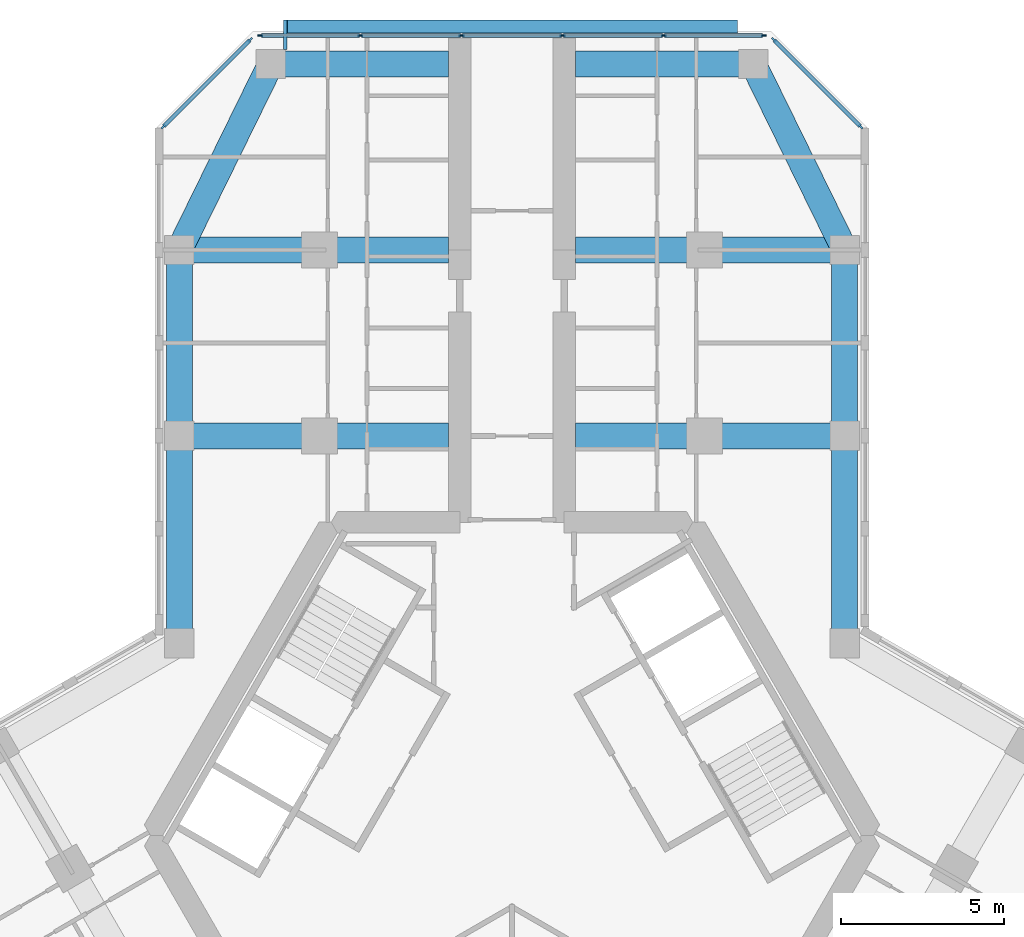
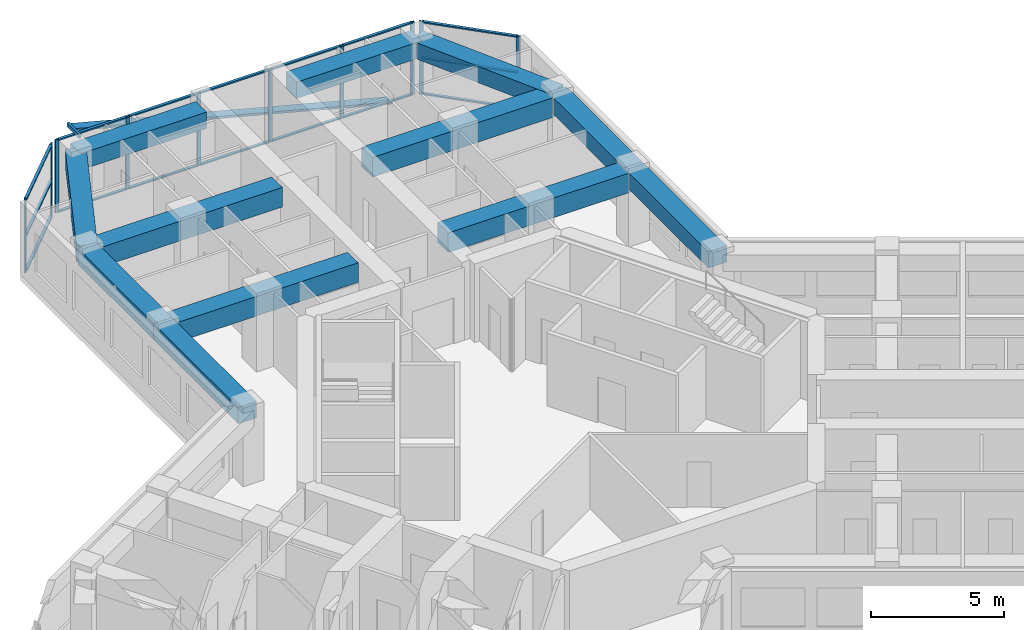
# One storey, part 6 of 16: 28 members, 12 beams, 3 elements without a shape of their own.
"""IFC4 building model written with IfcOpenShell, lengths in metres."""

from ifc_helpers import new_model, si_unit, direction, frame, origin, origin_2d, place, context, subcontext, project, spatial, rectangle, hollow_rectangle, extrude, material, material_profile, profile_set, type_object, element, aggregate, save


model = new_model("IFC4")

# Units and contexts
model_context = context("Model", 3, precision=1e-05, world=origin(), true_north=direction((0.0, 1.0)))
body_context = subcontext(model_context, "Body", "Model", "MODEL_VIEW")
ifc_project = project(units=[si_unit("LENGTHUNIT", "METRE"), si_unit("AREAUNIT", "SQUARE_METRE"), si_unit("VOLUMEUNIT", "CUBIC_METRE"), si_unit("PLANEANGLEUNIT", "RADIAN"), si_unit("MASSUNIT", "GRAM", prefix="KILO")], contexts=[model_context])

# Site, building, storey
site_placement = place(None, origin())
site = spatial("IfcSite", under=ifc_project, at=site_placement, CompositionType="ELEMENT")
building_placement = place(site_placement, origin())
building = spatial("IfcBuilding", under=site, at=building_placement, Name="Kosmar Iwan School Tower", CompositionType="ELEMENT")
storey_placement = place(building_placement, frame((0.0, 0.0, 201.0)))
storey = spatial("IfcBuildingStorey", under=building, at=storey_placement, Name="L50", CompositionType="ELEMENT", Elevation=201.0)

# Members
ifc_material_1 = material(Name="Black anodised aluminium", Category="aluminium")
ifc_material_profile_1 = material_profile(ifc_material_1, rectangle(XDim=0.10009765625, YDim=0.39990234375, at=origin_2d()), Name="FIN 100x400")
ifc_profile_set_1 = profile_set([ifc_material_profile_1], Name="Black anodised aluminium")
member_type_1 = type_object("IfcMemberType", Name="Diagonal fin 100x400", PredefinedType="USERDEFINED", material=ifc_profile_set_1)
member_1_placement = place(storey_placement, frame((6.898193359375, 24.800048828125, -0.14990234375), z_axis=(-0.967603633438, 0.0, 0.252474174041), x_axis=(0.252474174041, 0.0, 0.967603633438)))
element("IfcMember", 1, at=member_1_placement, inside=storey, type_object=member_type_1, Name="Diagonal fin L50-F06", ObjectType="FIN", PredefinedType="USERDEFINED", context=body_context, shape_type="SweptSolid", body=[
    extrude(rectangle(XDim=0.10009765625, YDim=0.39990234375, at=origin_2d()), origin(), (0.0, 0.0, 1.0), 14.25830078125),
])
ifc_material_2 = material(Name="Steel S355", Category="steel")
ifc_material_profile_2 = material_profile(ifc_material_2, hollow_rectangle(XDim=0.10009765625, YDim=0.199951171875, WallThickness=0.008056640625, at=origin_2d()), Name="RHS 200x100x8")
ifc_profile_set_2 = profile_set([ifc_material_profile_2], Name="Steel S355")
member_type_2 = type_object("IfcMemberType", Name="Fin bracket RHS 200x100", PredefinedType="USERDEFINED", material=ifc_profile_set_2)
member_2_placement = place(storey_placement, frame((-6.949951171875, 24.10009765625, 3.47509765625), z_axis=(0.0, 1.0, 0.0), x_axis=(-1.0, 0.0, 0.0)))
element("IfcMember", 2, at=member_2_placement, inside=storey, type_object=member_type_2, Name="Fin bracket L51", ObjectType="FIN BRACKET", PredefinedType="USERDEFINED", context=body_context, shape_type="SweptSolid", body=[
    extrude(hollow_rectangle(XDim=0.10009765625, YDim=0.199951171875, WallThickness=0.008056640625, at=origin_2d()), origin(), (0.0, 0.0, 1.0), 0.89990234375),
])

# Curtain wall, members
ifc_material_3 = material(Name="Dark glass in black aluminium frame", Category="aluminium")
curtain_wall_type_1 = type_object("IfcCurtainWallType", Name="Chamfer curtain wall dark glass", PredefinedType="USERDEFINED", material=ifc_material_3)
curtain_wall_1_placement = place(storey_placement, origin())
curtain_wall_1 = element("IfcCurtainWall", 3, at=curtain_wall_1_placement, inside=storey, type_object=curtain_wall_type_1, Name="Curtain wall L50-F05", ObjectType="FACETED CURTAIN WALL", PredefinedType="USERDEFINED")
ifc_material_4 = material(Name="Black anodised aluminium", Category="aluminium")
ifc_material_profile_3 = material_profile(ifc_material_4, rectangle(XDim=0.06005859375, YDim=0.159912109375, at=origin_2d()), Name="MULLION 60x160")
ifc_profile_set_3 = profile_set([ifc_material_profile_3], Name="Black anodised aluminium")
member_type_3 = type_object("IfcMemberType", Name="Mullion 60x160", PredefinedType="MULLION", material=ifc_profile_set_3)
member_3_placement = place(storey_placement, frame((10.69775390625, 21.7255859375, 0.0), z_axis=(0.0, 0.0, 1.0), x_axis=(-0.707106781187, -0.707106781187, 0.0)))
member_3 = element("IfcMember", 4, at=member_3_placement, type_object=member_type_3, Name="CW2 mullion 1", PredefinedType="MULLION", context=body_context, shape_type="SweptSolid", body=[
    extrude(rectangle(XDim=0.06005859375, YDim=0.159912109375, at=origin_2d()), origin(), (0.0, 0.0, 1.0), 3.35009765625),
])
member_4_placement = place(storey_placement, frame((8.025390625, 24.397705078125, 0.0), z_axis=(0.0, 0.0, 1.0), x_axis=(-0.707106781187, -0.707106781187, 0.0)))
member_4 = element("IfcMember", 5, at=member_4_placement, type_object=member_type_3, Name="CW2 mullion 2", PredefinedType="MULLION", context=body_context, shape_type="SweptSolid", body=[
    extrude(rectangle(XDim=0.06005859375, YDim=0.159912109375, at=origin_2d()), origin(), (0.0, 0.0, 1.0), 3.35009765625),
])

ifc_material_5 = material(Name="Dark glass in black aluminium frame", Category="aluminium")
curtain_wall_type_2 = type_object("IfcCurtainWallType", Name="Tower curtain wall dark glass", PredefinedType="USERDEFINED", material=ifc_material_5)
curtain_wall_2_placement = place(storey_placement, origin())
curtain_wall_2 = element("IfcCurtainWall", 6, at=curtain_wall_2_placement, inside=storey, type_object=curtain_wall_type_2, Name="Curtain wall L50-F06", ObjectType="UNITISED CURTAIN WALL", PredefinedType="USERDEFINED")
member_5_placement = place(storey_placement, frame((7.71826171875, 24.52490234375, 0.0), z_axis=(0.0, 0.0, 1.0), x_axis=(0.0, -1.0, 0.0)))
member_5 = element("IfcMember", 7, at=member_5_placement, type_object=member_type_3, Name="CW1 mullion 1", PredefinedType="MULLION", context=body_context, shape_type="SweptSolid", body=[
    extrude(rectangle(XDim=0.06005859375, YDim=0.159912109375, at=origin_2d()), origin(), (0.0, 0.0, 1.0), 3.35009765625),
])
member_6_placement = place(storey_placement, frame((4.64892578125, 24.52490234375, 0.0), z_axis=(0.0, 0.0, 1.0), x_axis=(0.0, -1.0, 0.0)))
member_6 = element("IfcMember", 8, at=member_6_placement, type_object=member_type_3, Name="CW1 mullion 2", PredefinedType="MULLION", context=body_context, shape_type="SweptSolid", body=[
    extrude(rectangle(XDim=0.06005859375, YDim=0.159912109375, at=origin_2d()), origin(), (0.0, 0.0, 1.0), 3.35009765625),
])
member_7_placement = place(storey_placement, frame((1.549560546875, 24.52490234375, 0.0), z_axis=(0.0, 0.0, 1.0), x_axis=(0.0, -1.0, 0.0)))
member_7 = element("IfcMember", 9, at=member_7_placement, type_object=member_type_3, Name="CW1 mullion 3", PredefinedType="MULLION", context=body_context, shape_type="SweptSolid", body=[
    extrude(rectangle(XDim=0.06005859375, YDim=0.159912109375, at=origin_2d()), origin(), (0.0, 0.0, 1.0), 3.35009765625),
])
member_8_placement = place(storey_placement, frame((-1.549560546875, 24.52490234375, 0.0), z_axis=(0.0, 0.0, 1.0), x_axis=(0.0, -1.0, 0.0)))
member_8 = element("IfcMember", 10, at=member_8_placement, type_object=member_type_3, Name="CW1 mullion 4", PredefinedType="MULLION", context=body_context, shape_type="SweptSolid", body=[
    extrude(rectangle(XDim=0.06005859375, YDim=0.159912109375, at=origin_2d()), origin(), (0.0, 0.0, 1.0), 3.35009765625),
])
member_9_placement = place(storey_placement, frame((-4.64892578125, 24.52490234375, 0.0), z_axis=(0.0, 0.0, 1.0), x_axis=(0.0, -1.0, 0.0)))
member_9 = element("IfcMember", 11, at=member_9_placement, type_object=member_type_3, Name="CW1 mullion 5", PredefinedType="MULLION", context=body_context, shape_type="SweptSolid", body=[
    extrude(rectangle(XDim=0.06005859375, YDim=0.159912109375, at=origin_2d()), origin(), (0.0, 0.0, 1.0), 3.35009765625),
])
member_10_placement = place(storey_placement, frame((-7.71826171875, 24.52490234375, 0.0), z_axis=(0.0, 0.0, 1.0), x_axis=(0.0, -1.0, 0.0)))
member_10 = element("IfcMember", 12, at=member_10_placement, type_object=member_type_3, Name="CW1 mullion 6", PredefinedType="MULLION", context=body_context, shape_type="SweptSolid", body=[
    extrude(rectangle(XDim=0.06005859375, YDim=0.159912109375, at=origin_2d()), origin(), (0.0, 0.0, 1.0), 3.35009765625),
])

curtain_wall_3_placement = place(storey_placement, origin())
curtain_wall_3 = element("IfcCurtainWall", 13, at=curtain_wall_3_placement, inside=storey, type_object=curtain_wall_type_1, Name="Curtain wall L50-F07", ObjectType="FACETED CURTAIN WALL", PredefinedType="USERDEFINED")
member_11_placement = place(storey_placement, frame((-8.025390625, 24.397705078125, 0.0), z_axis=(0.0, 0.0, 1.0), x_axis=(0.707106781187, -0.707106781187, 0.0)))
member_11 = element("IfcMember", 14, at=member_11_placement, type_object=member_type_3, Name="CW2 mullion 1", PredefinedType="MULLION", context=body_context, shape_type="SweptSolid", body=[
    extrude(rectangle(XDim=0.06005859375, YDim=0.159912109375, at=origin_2d()), origin(), (0.0, 0.0, 1.0), 3.35009765625),
])
member_12_placement = place(storey_placement, frame((-10.69775390625, 21.7255859375, 0.0), z_axis=(0.0, 0.0, 1.0), x_axis=(0.707106781187, -0.707106781187, 0.0)))
member_12 = element("IfcMember", 15, at=member_12_placement, type_object=member_type_3, Name="CW2 mullion 2", PredefinedType="MULLION", context=body_context, shape_type="SweptSolid", body=[
    extrude(rectangle(XDim=0.06005859375, YDim=0.159912109375, at=origin_2d()), origin(), (0.0, 0.0, 1.0), 3.35009765625),
])

# Beams
ifc_material_6 = material(Name="Concrete C50/60", Category="concrete")
ifc_material_profile_4 = material_profile(ifc_material_6, rectangle(XDim=0.800048828125, YDim=0.75, at=origin_2d()), Name="RC 800x750")
ifc_profile_set_4 = profile_set([ifc_material_profile_4], Name="Concrete C50/60")
beam_type_1 = type_object("IfcBeamType", Name="RC edge beam 800x750", PredefinedType="BEAM", material=ifc_profile_set_4)
beam_1_placement = place(storey_placement, frame((-10.199951171875, 5.888916015625, 2.97509765625), z_axis=(0.0, 1.0, 0.0), x_axis=(-1.0, 0.0, 0.0)))
element("IfcBeam", 16, at=beam_1_placement, inside=storey, type_object=beam_type_1, Name="Edge beam AL1", PredefinedType="BEAM", context=body_context, shape_type="SweptSolid", body=[
    extrude(rectangle(XDim=0.800048828125, YDim=0.75, at=origin_2d()), origin(), (0.0, 0.0, 1.0), 6.361083984375),
])
beam_2_placement = place(storey_placement, frame((-10.199951171875, 12.25, 2.97509765625), z_axis=(0.0, 1.0, 0.0), x_axis=(-1.0, 0.0, 0.0)))
element("IfcBeam", 17, at=beam_2_placement, inside=storey, type_object=beam_type_1, Name="Edge beam AL2", PredefinedType="BEAM", context=body_context, shape_type="SweptSolid", body=[
    extrude(rectangle(XDim=0.800048828125, YDim=0.75, at=origin_2d()), origin(), (0.0, 0.0, 1.0), 5.699951171875),
])
beam_3_placement = place(storey_placement, frame((10.199951171875, 5.888916015625, 2.97509765625), z_axis=(0.0, 1.0, 0.0), x_axis=(-1.0, 0.0, 0.0)))
element("IfcBeam", 18, at=beam_3_placement, inside=storey, type_object=beam_type_1, Name="Edge beam AR1", PredefinedType="BEAM", context=body_context, shape_type="SweptSolid", body=[
    extrude(rectangle(XDim=0.800048828125, YDim=0.75, at=origin_2d()), origin(), (0.0, 0.0, 1.0), 6.361083984375),
])
beam_4_placement = place(storey_placement, frame((10.199951171875, 12.25, 2.97509765625), z_axis=(0.0, 1.0, 0.0), x_axis=(-1.0, 0.0, 0.0)))
element("IfcBeam", 19, at=beam_4_placement, inside=storey, type_object=beam_type_1, Name="Edge beam AR2", PredefinedType="BEAM", context=body_context, shape_type="SweptSolid", body=[
    extrude(rectangle(XDim=0.800048828125, YDim=0.75, at=origin_2d()), origin(), (0.0, 0.0, 1.0), 5.699951171875),
])
ifc_material_7 = material(Name="Concrete C50/60", Category="concrete")
ifc_material_profile_5 = material_profile(ifc_material_7, rectangle(XDim=0.800048828125, YDim=0.75, at=origin_2d()), Name="RC 800x750")
ifc_profile_set_5 = profile_set([ifc_material_profile_5], Name="Concrete C50/60")
beam_type_2 = type_object("IfcBeamType", Name="RC tip beam 800x750", PredefinedType="BEAM", material=ifc_profile_set_5)
beam_5_placement = place(storey_placement, frame((-10.199951171875, 17.949951171875, 2.97509765625), z_axis=(0.440913116462, 0.897549788999, 0.0), x_axis=(-0.897549788999, 0.440913116462, 0.0)))
element("IfcBeam", 20, at=beam_5_placement, inside=storey, type_object=beam_type_2, Name="Tip beam AL", PredefinedType="BEAM", context=body_context, shape_type="SweptSolid", body=[
    extrude(rectangle(XDim=0.800048828125, YDim=0.75, at=origin_2d()), origin(), (0.0, 0.0, 1.0), 6.3505859375),
])
beam_6_placement = place(storey_placement, frame((-7.39990234375, 23.64990234375, 2.97509765625), z_axis=(1.0, 0.0, 0.0), x_axis=(0.0, 1.0, 0.0)))
element("IfcBeam", 21, at=beam_6_placement, inside=storey, type_object=beam_type_2, Name="Tip beam AL to corridor wall", PredefinedType="BEAM", context=body_context, shape_type="SweptSolid", body=[
    extrude(rectangle(XDim=0.800048828125, YDim=0.75, at=origin_2d()), origin(), (0.0, 0.0, 1.0), 5.449951171875),
])
beam_7_placement = place(storey_placement, frame((10.199951171875, 17.949951171875, 2.97509765625), z_axis=(-0.440913116462, 0.897549788999, 0.0), x_axis=(-0.897549788999, -0.440913116462, 0.0)))
element("IfcBeam", 22, at=beam_7_placement, inside=storey, type_object=beam_type_2, Name="Tip beam AR", PredefinedType="BEAM", context=body_context, shape_type="SweptSolid", body=[
    extrude(rectangle(XDim=0.800048828125, YDim=0.75, at=origin_2d()), origin(), (0.0, 0.0, 1.0), 6.3505859375),
])
beam_8_placement = place(storey_placement, frame((7.39990234375, 23.64990234375, 2.97509765625), z_axis=(-1.0, 0.0, 0.0), x_axis=(0.0, -1.0, 0.0)))
element("IfcBeam", 23, at=beam_8_placement, inside=storey, type_object=beam_type_2, Name="Tip beam AR to corridor wall", PredefinedType="BEAM", context=body_context, shape_type="SweptSolid", body=[
    extrude(rectangle(XDim=0.800048828125, YDim=0.75, at=origin_2d()), origin(), (0.0, 0.0, 1.0), 5.449951171875),
])
ifc_material_8 = material(Name="Concrete C50/60", Category="concrete")
ifc_material_profile_6 = material_profile(ifc_material_8, rectangle(XDim=0.800048828125, YDim=0.89990234375, at=origin_2d()), Name="RC 800x900")
ifc_profile_set_6 = profile_set([ifc_material_profile_6], Name="Concrete C50/60")
beam_type_3 = type_object("IfcBeamType", Name="RC transverse beam 800x900", PredefinedType="BEAM", material=ifc_profile_set_6)
for number, where, z_axis, x_axis, name in (
    (24, (-10.199951171875, 12.25, 2.89990234375), (1.0, 0.0, 0.0), (0.0, 1.0, 0.0), "Transverse beam AL1"),
    (25, (-10.199951171875, 17.949951171875, 2.89990234375), (1.0, 0.0, 0.0), (0.0, 1.0, 0.0), "Transverse beam AL2"),
    (26, (10.199951171875, 12.25, 2.89990234375), (-1.0, 0.0, 0.0), (0.0, -1.0, 0.0), "Transverse beam AR1"),
    (27, (10.199951171875, 17.949951171875, 2.89990234375), (-1.0, 0.0, 0.0), (0.0, -1.0, 0.0), "Transverse beam AR2"),
):
    element("IfcBeam", number, at=place(storey_placement, frame(where, z_axis=z_axis, x_axis=x_axis)), inside=storey, type_object=beam_type_3, Name=name, PredefinedType="BEAM", context=body_context, shape_type="SweptSolid", body=[
        extrude(rectangle(XDim=0.800048828125, YDim=0.89990234375, at=origin_2d()), origin(), (0.0, 0.0, 1.0), 8.25),
    ])

# Member
ifc_material_9 = material(Name="Black anodised aluminium", Category="aluminium")
ifc_material_profile_7 = material_profile(ifc_material_9, rectangle(XDim=0.1201171875, YDim=0.06005859375, at=origin_2d()), Name="TRANSOM 60x120")
ifc_profile_set_7 = profile_set([ifc_material_profile_7], Name="Black anodised aluminium")
member_type_4 = type_object("IfcMemberType", Name="Transom 60x120", PredefinedType="USERDEFINED", material=ifc_profile_set_7)
member_13_placement = place(storey_placement, frame((10.676513671875, 21.746826171875, 0.030029296875), z_axis=(-0.707139603466, 0.707073957383, 0.0), x_axis=(-0.707073957383, -0.707139603466, 0.0)))
member_13 = element("IfcMember", 28, at=member_13_placement, type_object=member_type_4, Name="CW2 transom 1.1", ObjectType="TRANSOM", PredefinedType="USERDEFINED", context=body_context, shape_type="SweptSolid", body=[
    extrude(rectangle(XDim=0.1201171875, YDim=0.06005859375, at=origin_2d()), origin(), (0.0, 0.0, 1.0), 3.718994140625),
])

member_14_placement = place(storey_placement, frame((10.676513671875, 21.746826171875, 1.675048828125), z_axis=(-0.707139603466, 0.707073957383, 0.0), x_axis=(-0.707073957383, -0.707139603466, 0.0)))
member_14 = element("IfcMember", 29, at=member_14_placement, type_object=member_type_4, Name="CW2 transom 1.2", ObjectType="TRANSOM", PredefinedType="USERDEFINED", context=body_context, shape_type="SweptSolid", body=[
    extrude(rectangle(XDim=0.1201171875, YDim=0.06005859375, at=origin_2d()), origin(), (0.0, 0.0, 1.0), 3.718994140625),
])

member_15_placement = place(storey_placement, frame((10.676513671875, 21.746826171875, 3.320068359375), z_axis=(-0.707139603466, 0.707073957383, 0.0), x_axis=(-0.707073957383, -0.707139603466, 0.0)))
member_15 = element("IfcMember", 30, at=member_15_placement, type_object=member_type_4, Name="CW2 transom 1.3", ObjectType="TRANSOM", PredefinedType="USERDEFINED", context=body_context, shape_type="SweptSolid", body=[
    extrude(rectangle(XDim=0.1201171875, YDim=0.06005859375, at=origin_2d()), origin(), (0.0, 0.0, 1.0), 3.718994140625),
])

aggregate(curtain_wall_1, [member_3, member_4, member_13, member_14, member_15])

member_16_placement = place(storey_placement, frame((7.688232421875, 24.52490234375, 0.030029296875), z_axis=(-1.0, 0.0, 0.0), x_axis=(0.0, -1.0, 0.0)))
member_16 = element("IfcMember", 31, at=member_16_placement, type_object=member_type_4, Name="CW1 transom 1.1", ObjectType="TRANSOM", PredefinedType="USERDEFINED", context=body_context, shape_type="SweptSolid", body=[
    extrude(rectangle(XDim=0.1201171875, YDim=0.06005859375, at=origin_2d()), origin(), (0.0, 0.0, 1.0), 3.00927734375),
])

member_17_placement = place(storey_placement, frame((7.688232421875, 24.52490234375, 3.320068359375), z_axis=(-1.0, 0.0, 0.0), x_axis=(0.0, -1.0, 0.0)))
member_17 = element("IfcMember", 32, at=member_17_placement, type_object=member_type_4, Name="CW1 transom 1.2", ObjectType="TRANSOM", PredefinedType="USERDEFINED", context=body_context, shape_type="SweptSolid", body=[
    extrude(rectangle(XDim=0.1201171875, YDim=0.06005859375, at=origin_2d()), origin(), (0.0, 0.0, 1.0), 3.00927734375),
])

member_18_placement = place(storey_placement, frame((4.618896484375, 24.52490234375, 0.030029296875), z_axis=(-1.0, 0.0, 0.0), x_axis=(0.0, -1.0, 0.0)))
member_18 = element("IfcMember", 33, at=member_18_placement, type_object=member_type_4, Name="CW1 transom 2.1", ObjectType="TRANSOM", PredefinedType="USERDEFINED", context=body_context, shape_type="SweptSolid", body=[
    extrude(rectangle(XDim=0.1201171875, YDim=0.06005859375, at=origin_2d()), origin(), (0.0, 0.0, 1.0), 3.039306640625),
])

member_19_placement = place(storey_placement, frame((4.618896484375, 24.52490234375, 3.320068359375), z_axis=(-1.0, 0.0, 0.0), x_axis=(0.0, -1.0, 0.0)))
member_19 = element("IfcMember", 34, at=member_19_placement, type_object=member_type_4, Name="CW1 transom 2.2", ObjectType="TRANSOM", PredefinedType="USERDEFINED", context=body_context, shape_type="SweptSolid", body=[
    extrude(rectangle(XDim=0.1201171875, YDim=0.06005859375, at=origin_2d()), origin(), (0.0, 0.0, 1.0), 3.039306640625),
])

member_20_placement = place(storey_placement, frame((1.51953125, 24.52490234375, 0.030029296875), z_axis=(-1.0, 0.0, 0.0), x_axis=(0.0, -1.0, 0.0)))
member_20 = element("IfcMember", 35, at=member_20_placement, type_object=member_type_4, Name="CW1 transom 3.1", ObjectType="TRANSOM", PredefinedType="USERDEFINED", context=body_context, shape_type="SweptSolid", body=[
    extrude(rectangle(XDim=0.1201171875, YDim=0.06005859375, at=origin_2d()), origin(), (0.0, 0.0, 1.0), 3.0390625),
])

member_21_placement = place(storey_placement, frame((1.51953125, 24.52490234375, 3.320068359375), z_axis=(-1.0, 0.0, 0.0), x_axis=(0.0, -1.0, 0.0)))
member_21 = element("IfcMember", 36, at=member_21_placement, type_object=member_type_4, Name="CW1 transom 3.2", ObjectType="TRANSOM", PredefinedType="USERDEFINED", context=body_context, shape_type="SweptSolid", body=[
    extrude(rectangle(XDim=0.1201171875, YDim=0.06005859375, at=origin_2d()), origin(), (0.0, 0.0, 1.0), 3.0390625),
])

member_22_placement = place(storey_placement, frame((-1.57958984375, 24.52490234375, 0.030029296875), z_axis=(-1.0, 0.0, 0.0), x_axis=(0.0, -1.0, 0.0)))
member_22 = element("IfcMember", 37, at=member_22_placement, type_object=member_type_4, Name="CW1 transom 4.1", ObjectType="TRANSOM", PredefinedType="USERDEFINED", context=body_context, shape_type="SweptSolid", body=[
    extrude(rectangle(XDim=0.1201171875, YDim=0.06005859375, at=origin_2d()), origin(), (0.0, 0.0, 1.0), 3.039306640625),
])

member_23_placement = place(storey_placement, frame((-1.57958984375, 24.52490234375, 3.320068359375), z_axis=(-1.0, 0.0, 0.0), x_axis=(0.0, -1.0, 0.0)))
member_23 = element("IfcMember", 38, at=member_23_placement, type_object=member_type_4, Name="CW1 transom 4.2", ObjectType="TRANSOM", PredefinedType="USERDEFINED", context=body_context, shape_type="SweptSolid", body=[
    extrude(rectangle(XDim=0.1201171875, YDim=0.06005859375, at=origin_2d()), origin(), (0.0, 0.0, 1.0), 3.039306640625),
])

member_24_placement = place(storey_placement, frame((-4.678955078125, 24.52490234375, 0.030029296875), z_axis=(-1.0, 0.0, 0.0), x_axis=(0.0, -1.0, 0.0)))
member_24 = element("IfcMember", 39, at=member_24_placement, type_object=member_type_4, Name="CW1 transom 5.1", ObjectType="TRANSOM", PredefinedType="USERDEFINED", context=body_context, shape_type="SweptSolid", body=[
    extrude(rectangle(XDim=0.1201171875, YDim=0.06005859375, at=origin_2d()), origin(), (0.0, 0.0, 1.0), 3.00927734375),
])

member_25_placement = place(storey_placement, frame((-4.678955078125, 24.52490234375, 3.320068359375), z_axis=(-1.0, 0.0, 0.0), x_axis=(0.0, -1.0, 0.0)))
member_25 = element("IfcMember", 40, at=member_25_placement, type_object=member_type_4, Name="CW1 transom 5.2", ObjectType="TRANSOM", PredefinedType="USERDEFINED", context=body_context, shape_type="SweptSolid", body=[
    extrude(rectangle(XDim=0.1201171875, YDim=0.06005859375, at=origin_2d()), origin(), (0.0, 0.0, 1.0), 3.00927734375),
])

aggregate(curtain_wall_2, [member_5, member_6, member_7, member_8, member_9, member_10, member_16, member_17, member_18, member_19, member_20, member_21, member_22, member_23, member_24, member_25])

member_26_placement = place(storey_placement, frame((-8.046630859375, 24.37646484375, 0.030029296875), z_axis=(-0.707139603466, -0.707073957383, 0.0), x_axis=(0.707073957383, -0.707139603466, 0.0)))
member_26 = element("IfcMember", 41, at=member_26_placement, type_object=member_type_4, Name="CW2 transom 1.1", ObjectType="TRANSOM", PredefinedType="USERDEFINED", context=body_context, shape_type="SweptSolid", body=[
    extrude(rectangle(XDim=0.1201171875, YDim=0.06005859375, at=origin_2d()), origin(), (0.0, 0.0, 1.0), 3.718994140625),
])

member_27_placement = place(storey_placement, frame((-8.046630859375, 24.37646484375, 1.675048828125), z_axis=(-0.707139603466, -0.707073957383, 0.0), x_axis=(0.707073957383, -0.707139603466, 0.0)))
member_27 = element("IfcMember", 42, at=member_27_placement, type_object=member_type_4, Name="CW2 transom 1.2", ObjectType="TRANSOM", PredefinedType="USERDEFINED", context=body_context, shape_type="SweptSolid", body=[
    extrude(rectangle(XDim=0.1201171875, YDim=0.06005859375, at=origin_2d()), origin(), (0.0, 0.0, 1.0), 3.718994140625),
])

member_28_placement = place(storey_placement, frame((-8.046630859375, 24.37646484375, 3.320068359375), z_axis=(-0.707139603466, -0.707073957383, 0.0), x_axis=(0.707073957383, -0.707139603466, 0.0)))
member_28 = element("IfcMember", 43, at=member_28_placement, type_object=member_type_4, Name="CW2 transom 1.3", ObjectType="TRANSOM", PredefinedType="USERDEFINED", context=body_context, shape_type="SweptSolid", body=[
    extrude(rectangle(XDim=0.1201171875, YDim=0.06005859375, at=origin_2d()), origin(), (0.0, 0.0, 1.0), 3.718994140625),
])

aggregate(curtain_wall_3, [member_11, member_12, member_26, member_27, member_28])

save(model, "model.ifc")
